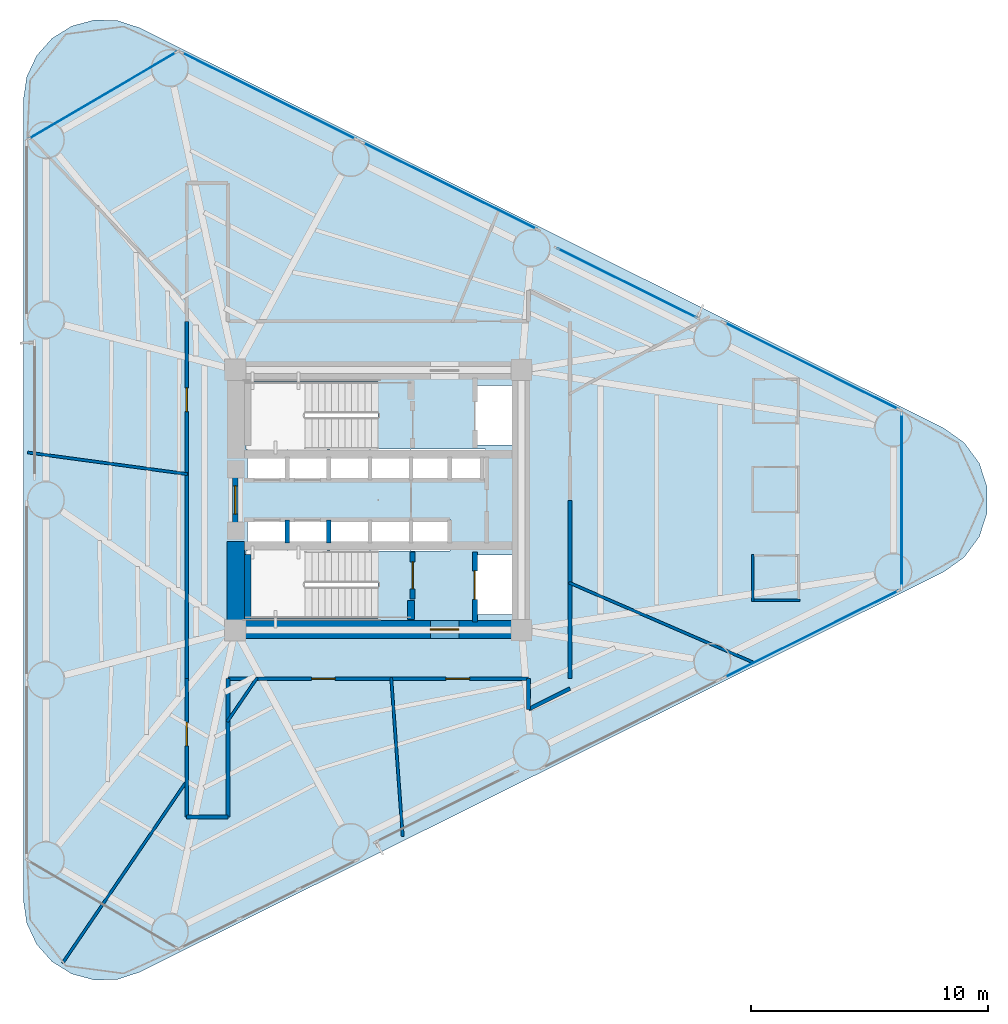
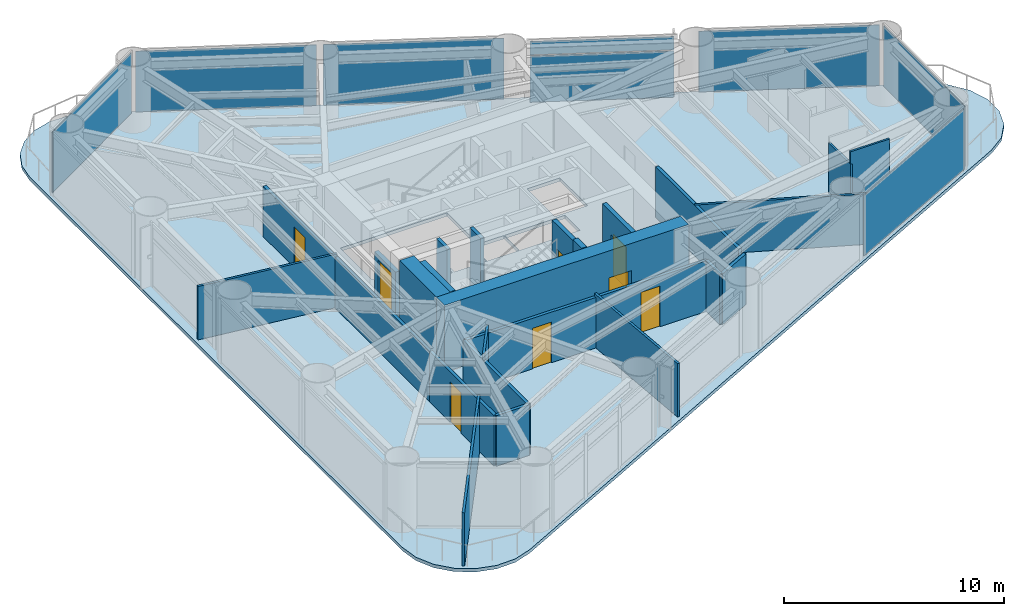
# One storey, part 5 of 10: 24 walls, 8 doors, 8 plates, 1 slab, 8 openings, 7 elements without a shape of their own.
"""IFC4 building model written with IfcOpenShell, lengths in metres."""

from ifc_helpers import new_model, si_unit, direction, frame, frame_2d, origin, origin_2d, place, context, subcontext, project, spatial, polyline, rectangle, outline, extrude, source, transform, mapped, material, layer, layer_set, type_object, element, fill, aggregate, save


model = new_model("IFC4")

# Units and contexts
model_context = context("Model", 3, precision=1e-05, world=origin(), true_north=direction((0.0, 1.0)))
body_context = subcontext(model_context, "Body", "Model", "MODEL_VIEW")
ifc_project = project(units=[si_unit("LENGTHUNIT", "METRE"), si_unit("AREAUNIT", "SQUARE_METRE"), si_unit("VOLUMEUNIT", "CUBIC_METRE"), si_unit("PLANEANGLEUNIT", "RADIAN"), si_unit("MASSUNIT", "GRAM", prefix="KILO")], contexts=[model_context])

# Site, building, storey
site_placement = place(None, origin())
site = spatial("IfcSite", under=ifc_project, at=site_placement, CompositionType="ELEMENT")
building_placement = place(site_placement, origin())
building = spatial("IfcBuilding", under=site, at=building_placement, Name="Yunling Apex Tower", CompositionType="ELEMENT")
storey_placement = place(building_placement, frame((0.0, 0.0, 34.89990234375)))
storey = spatial("IfcBuildingStorey", under=building, at=storey_placement, Name="L10", CompositionType="ELEMENT", Elevation=34.89990234375)

# Slab
ifc_material_1 = material(Name="Concrete C40", Category="concrete")
ifc_layer_1 = layer(ifc_material_1, 0.179931640625)
ifc_layer_set_1 = layer_set([ifc_layer_1], Name="Concrete C40")
slab_type = type_object("IfcSlabType", Name="SL-FLR-1", PredefinedType="FLOOR", material=ifc_layer_set_1)
slab_placement = place(storey_placement, frame((0.0, 0.0, -0.184814453125)))
element("IfcSlab", 1, at=slab_placement, inside=storey, type_object=slab_type, Name="L10 Composite Tower Floor Slab", PredefinedType="FLOOR", context=body_context, shape_type="SweptSolid", body=[
    extrude(outline(polyline([(-15.001953125, -16.909912109375), (-14.859619140625, -17.88330078125), (-14.444580078125, -18.775390625), (-13.79150390625, -19.510986328125), (-12.955078125, -20.029052734375), (-12.00537109375, -20.285888671875), (-11.02197265625, -20.260009765625), (-10.0869140625, -19.953857421875), (23.88818359375, -3.043701171875), (24.76123046875, -2.42041015625), (25.396484375, -1.555908203125), (25.730712890625, -0.536376953125), (25.730712890625, 0.536376953125), (25.396484375, 1.555908203125), (24.76123046875, 2.42041015625), (23.88818359375, 3.043701171875), (-10.0869140625, 19.953857421875), (-11.02197265625, 20.260009765625), (-12.00537109375, 20.285888671875), (-12.955078125, 20.029052734375), (-13.79150390625, 19.510986328125), (-14.444580078125, 18.775390625), (-14.859619140625, 17.88330078125), (-15.001953125, 16.909912109375), (-15.001953125, -16.909912109375)]), holes=[polyline([(5.81005859375, -2.320068359375), (5.81005859375, -4.840087890625), (4.090087890625, -4.840087890625), (4.090087890625, -2.320068359375), (5.81005859375, -2.320068359375)]), polyline([(5.81005859375, 4.840087890625), (5.81005859375, 2.320068359375), (4.090087890625, 2.320068359375), (4.090087890625, 4.840087890625), (5.81005859375, 4.840087890625)]), polyline([(1.364990234375, 2.1650390625), (4.534912109375, 2.1650390625), (4.534912109375, 0.794921875), (1.364990234375, 0.794921875), (1.364990234375, 2.1650390625)]), polyline([(3.034912109375, -0.794921875), (3.034912109375, -2.1650390625), (1.364990234375, -2.1650390625), (1.364990234375, -0.794921875), (3.034912109375, -0.794921875)]), polyline([(-5.534912109375, -0.794921875), (-3.864990234375, -0.794921875), (-3.864990234375, -2.139892578125), (-3.8349609375, -2.139892578125), (-3.8349609375, -0.794921875), (-2.1650390625, -0.794921875), (-2.1650390625, -2.139892578125), (-2.034912109375, -2.139892578125), (-2.034912109375, -0.794921875), (-0.364990234375, -0.794921875), (-0.364990234375, -2.139892578125), (-0.3349609375, -2.139892578125), (-0.3349609375, -0.794921875), (1.3349609375, -0.794921875), (1.3349609375, -2.1650390625), (-0.010009765625, -2.1650390625), (-0.010009765625, -5.010009765625), (-5.60009765625, -5.010009765625), (-5.60009765625, -2.139892578125), (-5.534912109375, -2.139892578125), (-5.534912109375, -0.794921875)]), polyline([(-5.60009765625, 2.139892578125), (-5.60009765625, 5.010009765625), (-0.010009765625, 5.010009765625), (-0.010009765625, 2.1650390625), (1.3349609375, 2.1650390625), (1.3349609375, 0.794921875), (-0.3349609375, 0.794921875), (-0.3349609375, 2.139892578125), (-0.364990234375, 2.139892578125), (-0.364990234375, 0.794921875), (-2.034912109375, 0.794921875), (-2.034912109375, 2.139892578125), (-2.1650390625, 2.139892578125), (-2.1650390625, 0.794921875), (-3.8349609375, 0.794921875), (-3.8349609375, 2.139892578125), (-3.864990234375, 2.139892578125), (-3.864990234375, 0.794921875), (-5.534912109375, 0.794921875), (-5.534912109375, 2.139892578125), (-5.60009765625, 2.139892578125)])]), origin(), (0.0, 0.0, 1.0), 0.184814453125),
])

# Curtain wall, plate
ifc_material_2 = material(Name="Bronze anodised aluminium", Category="aluminium")
ifc_layer_2 = layer(ifc_material_2, 0.260009765625)
ifc_layer_set_2 = layer_set([ifc_layer_2], Name="Bronze anodised aluminium")
curtain_wall_type = type_object("IfcCurtainWallType", Name="CW-SYS-2", PredefinedType="NOTDEFINED", material=ifc_layer_set_2)
curtain_wall_1_placement = place(storey_placement, origin())
curtain_wall_1 = element("IfcCurtainWall", 2, at=curtain_wall_1_placement, inside=storey, type_object=curtain_wall_type, Name="CW-L10-F1-B4", PredefinedType="NOTDEFINED")
ifc_material_3 = material(Name="Bronze tinted low-E glass", Category="glass")
ifc_layer_3 = layer(ifc_material_3, 0.033935546875)
ifc_layer_set_3 = layer_set([ifc_layer_3], Name="Bronze tinted low-E glass")
plate_type = type_object("IfcPlateType", Name="CW-PNL-2", PredefinedType="CURTAIN_PANEL", material=ifc_layer_set_3)
shared_shape_1 = source(origin(), body_context, "Body", "SweptSolid", [
    extrude(rectangle(XDim=8.225341796875, YDim=0.033935546875, at=origin_2d()), origin(), (0.0, 0.0, 1.0), 3.361572265625),
])
plate_1_placement = place(storey_placement, frame((18.304931640625, -5.666259765625, 0.07666015625), z_axis=(0.0, 0.0, 1.0), x_axis=(0.895242031011, 0.445580190214, 0.0)))
plate_1 = element("IfcPlate", 3, at=plate_1_placement, type_object=plate_type, Name="CW-SYS-2 panel 1.1", PredefinedType="CURTAIN_PANEL", context=body_context, shape_type="MappedRepresentation", body=[
    mapped(shared_shape_1, transform((0.0, 0.0, 0.0), scale=1.0)),
])
aggregate(curtain_wall_1, [plate_1])

curtain_wall_2_placement = place(storey_placement, origin())
curtain_wall_2 = element("IfcCurtainWall", 4, at=curtain_wall_2_placement, inside=storey, type_object=curtain_wall_type, Name="CW-L10-F2-B1", PredefinedType="NOTDEFINED")
plate_2_placement = place(storey_placement, frame((18.304931640625, 5.666259765625, 0.07666015625), z_axis=(0.0, 0.0, 1.0), x_axis=(-0.895242031011, 0.445580190214, 0.0)))
plate_2 = element("IfcPlate", 5, at=plate_2_placement, type_object=plate_type, Name="CW-SYS-2 panel 1.1", PredefinedType="CURTAIN_PANEL", context=body_context, shape_type="MappedRepresentation", body=[
    mapped(shared_shape_1, transform((0.0, 0.0, 0.0), scale=1.0)),
])
aggregate(curtain_wall_2, [plate_2])

curtain_wall_3_placement = place(storey_placement, origin())
curtain_wall_3 = element("IfcCurtainWall", 6, at=curtain_wall_3_placement, inside=storey, type_object=curtain_wall_type, Name="CW-L10-F2-B3", PredefinedType="NOTDEFINED")
plate_3_placement = place(storey_placement, frame((3.01611328125, 13.27587890625, 0.07666015625), z_axis=(0.0, 0.0, 1.0), x_axis=(-0.895242031011, 0.445580190214, 0.0)))
plate_3 = element("IfcPlate", 7, at=plate_3_placement, type_object=plate_type, Name="CW-SYS-2 panel 1.1", PredefinedType="CURTAIN_PANEL", context=body_context, shape_type="MappedRepresentation", body=[
    mapped(shared_shape_1, transform((0.0, 0.0, 0.0), scale=1.0)),
])
aggregate(curtain_wall_3, [plate_3])

curtain_wall_4_placement = place(storey_placement, origin())
curtain_wall_4 = element("IfcCurtainWall", 8, at=curtain_wall_4_placement, inside=storey, type_object=curtain_wall_type, Name="CW-L10-F2-B4", PredefinedType="NOTDEFINED")
plate_4_placement = place(storey_placement, frame((-4.62841796875, 17.08056640625, 0.07666015625), z_axis=(0.0, 0.0, 1.0), x_axis=(-0.895246791748, 0.445570625003, 0.0)))
plate_4 = element("IfcPlate", 9, at=plate_4_placement, type_object=plate_type, Name="CW-SYS-2 panel 1.1", PredefinedType="CURTAIN_PANEL", context=body_context, shape_type="MappedRepresentation", body=[
    mapped(shared_shape_1, transform((0.0, 0.0, 0.0), scale=1.0)),
])
aggregate(curtain_wall_4, [plate_4])

curtain_wall_5_placement = place(storey_placement, origin())
curtain_wall_5 = element("IfcCurtainWall", 10, at=curtain_wall_5_placement, inside=storey, type_object=curtain_wall_type, Name="CW-L10-CRN1", PredefinedType="NOTDEFINED")
shared_shape_2 = source(origin(), body_context, "Body", "SweptSolid", [
    extrude(rectangle(XDim=7.338623046875, YDim=0.033935546875, at=origin_2d()), origin(), (0.0, 0.0, 1.0), 3.361572265625),
])
plate_5_placement = place(storey_placement, frame((22.1181640625, 0.0, 0.07666015625), z_axis=(0.0, 0.0, 1.0), x_axis=(0.0, 1.0, 0.0)))
plate_5 = element("IfcPlate", 11, at=plate_5_placement, type_object=plate_type, Name="CW-SYS-2 panel 1.1", PredefinedType="CURTAIN_PANEL", context=body_context, shape_type="MappedRepresentation", body=[
    mapped(shared_shape_2, transform((0.0, 0.0, 0.0), scale=1.0)),
])
aggregate(curtain_wall_5, [plate_5])

curtain_wall_6_placement = place(storey_placement, origin())
curtain_wall_6 = element("IfcCurtainWall", 12, at=curtain_wall_6_placement, inside=storey, type_object=curtain_wall_type, Name="CW-L10-CRN2", PredefinedType="NOTDEFINED")
shared_shape_3 = source(origin(), body_context, "Body", "SweptSolid", [
    extrude(rectangle(XDim=7.247314453125, YDim=0.033935546875, at=origin_2d()), origin(), (0.0, 0.0, 1.0), 3.361572265625),
])
plate_6_placement = place(storey_placement, frame((-11.650634765625, 17.092041015625, 0.07666015625), z_axis=(0.0, 0.0, 1.0), x_axis=(-0.86241873323, -0.506195543811, 0.0)))
plate_6 = element("IfcPlate", 13, at=plate_6_placement, type_object=plate_type, Name="CW-SYS-2 panel 1.1", PredefinedType="CURTAIN_PANEL", context=body_context, shape_type="MappedRepresentation", body=[
    mapped(shared_shape_3, transform((0.0, 0.0, 0.0), scale=1.0)),
])
aggregate(curtain_wall_6, [plate_6])

# Curtain wall, plates
curtain_wall_7_placement = place(storey_placement, origin())
curtain_wall_7 = element("IfcCurtainWall", 14, at=curtain_wall_7_placement, inside=storey, type_object=curtain_wall_type, Name="CW-L10-F2-B2", PredefinedType="NOTDEFINED")
shared_shape_4 = source(origin(), body_context, "Body", "SweptSolid", [
    extrude(rectangle(XDim=6.54541015625, YDim=0.033935546875, at=origin_2d()), origin(), (0.0, 0.0, 1.0), 2.560302734375),
])
plate_7_placement = place(storey_placement, frame((10.509033203125, 9.166748046875, 0.07666015625), z_axis=(0.0, 0.0, 1.0), x_axis=(-0.895243732344, 0.445576771947, 0.0)))
plate_7 = element("IfcPlate", 15, at=plate_7_placement, type_object=plate_type, Name="CW-SYS-2 panel 1.1", PredefinedType="CURTAIN_PANEL", context=body_context, shape_type="MappedRepresentation", body=[
    mapped(shared_shape_4, transform((0.0, 0.0, 0.0), scale=1.0)),
])
shared_shape_5 = source(origin(), body_context, "Body", "SweptSolid", [
    extrude(rectangle(XDim=6.54541015625, YDim=0.033935546875, at=origin_2d()), origin(), (0.0, 0.0, 1.0), 0.732666015625),
])
plate_8_placement = place(storey_placement, frame((10.509033203125, 9.166748046875, 2.70556640625), z_axis=(0.0, 0.0, 1.0), x_axis=(-0.895243732344, 0.445576771947, 0.0)))
plate_8 = element("IfcPlate", 16, at=plate_8_placement, type_object=plate_type, Name="CW-SYS-2 panel 1.2", PredefinedType="CURTAIN_PANEL", context=body_context, shape_type="MappedRepresentation", body=[
    mapped(shared_shape_5, transform((0.0, 0.0, 0.0), scale=1.0)),
])
aggregate(curtain_wall_7, [plate_7, plate_8])

# Wall, opening, door
ifc_material_4 = material(Name="Concrete C60", Category="concrete")
ifc_layer_4 = layer(ifc_material_4, 0.75)
ifc_layer_set_4 = layer_set([ifc_layer_4], Name="Concrete C60")
wall_type_1 = type_object("IfcWallType", Name="WL-COR-1", PredefinedType="SHEAR", material=ifc_layer_set_4)
wall_1_placement = place(storey_placement, frame((-6.39990234375, -5.47509765625, 0.0), z_axis=(0.0, 0.0, 1.0), x_axis=(1.0, 0.0, 0.0)))
wall_1 = element("IfcWall", 17, at=wall_1_placement, inside=storey, type_object=wall_type_1, Name="L10 South Core Shear Wall", PredefinedType="SHEAR", context=body_context, shape_type="SweptSolid", body=[
    extrude(rectangle(XDim=12.7998046875, YDim=0.75, at=frame_2d((6.39990234375, 0.0))), origin(), (0.0, 0.0, 1.0), 3.7001953125),
])
opening_1_placement = place(wall_1_placement, frame((8.60009765625, 0.0, 0.0)))
opening_1 = element("IfcOpeningElement", 18, at=opening_1_placement, cuts=wall_1, Name="Opening DR-FFL-1", PredefinedType="OPENING", context=body_context, shape_type="SweptSolid", body=[
    extrude(rectangle(XDim=1.199951171875, YDim=2.199951171875, at=frame_2d((0.60009765625, 1.10009765625))), frame((0.0, 0.385009765625, 0.0), z_axis=(0.0, -1.0, 0.0), x_axis=(1.0, 0.0, 0.0)), (0.0, 0.0, 1.0), 0.77001953125),
])
ifc_material_5 = material(Name="Steel Q355B", Category="steel")
door_type_1 = type_object("IfcDoorType", Name="DR-FFL-1", OperationType="NOTDEFINED", PredefinedType="DOOR", material=ifc_material_5)
door_1_placement = place(opening_1_placement, origin())
door_1 = element("IfcDoor", 19, at=door_1_placement, inside=storey, type_object=door_type_1, Name="L10 South Firefighting Lobby Door", OperationType="SINGLE_SWING_RIGHT", OverallHeight=2.199951171875, OverallWidth=1.199951171875, PredefinedType="DOOR", context=body_context, shape_type="SweptSolid", body=[
    extrude(rectangle(XDim=1.199951171875, YDim=2.199951171875, at=frame_2d((0.60009765625, 1.10009765625))), frame((0.0, 0.02490234375, 0.0), z_axis=(0.0, -1.0, 0.0), x_axis=(1.0, 0.0, 0.0)), (0.0, 0.0, 1.0), 0.050048828125),
])
fill(opening_1, door_1)

# Walls
wall_2_placement = place(storey_placement, frame((-6.02490234375, -5.10009765625, 0.0), z_axis=(0.0, 0.0, 1.0), x_axis=(0.0, 1.0, 0.0)))
element("IfcWall", 20, at=wall_2_placement, inside=storey, type_object=wall_type_1, Name="L10 West-South Core Shear Wall", PredefinedType="SHEAR", context=body_context, shape_type="SweptSolid", body=[
    extrude(rectangle(XDim=3.35009765625, YDim=0.75, at=frame_2d((1.675048828125, 0.0))), origin(), (0.0, 0.0, 1.0), 3.7001953125),
])
ifc_layer_5 = layer(ifc_material_1, 0.280029296875)
ifc_layer_set_5 = layer_set([ifc_layer_5], Name="Concrete C40")
wall_type_2 = type_object("IfcWallType", Name="WL-COR-8", PredefinedType="SHEAR", material=ifc_layer_set_5)
wall_3_placement = place(storey_placement, frame((-5.52001953125, -5.050048828125, 0.0), z_axis=(0.0, 0.0, 1.0), x_axis=(0.0, 1.0, 0.0)))
element("IfcWall", 21, at=wall_3_placement, inside=storey, type_object=wall_type_2, Name="L10 ST-2 West Landing Bearing Wall", PredefinedType="SHEAR", context=body_context, shape_type="SweptSolid", body=[
    extrude(rectangle(XDim=2.75, YDim=0.280029296875, at=frame_2d((1.375, 0.0))), origin(), (0.0, 0.0, 1.0), 3.7001953125),
])
wall_4_placement = place(storey_placement, frame((1.3798828125, -5.050048828125, 0.0), z_axis=(0.0, 0.0, 1.0), x_axis=(0.0, 1.0, 0.0)))
element("IfcWall", 22, at=wall_4_placement, inside=storey, type_object=wall_type_2, Name="L10 ST-2 East Landing Bearing Pier", PredefinedType="SHEAR", context=body_context, shape_type="SweptSolid", body=[
    extrude(rectangle(XDim=0.800048828125, YDim=0.280029296875, at=frame_2d((0.39990234375, 0.0))), origin(), (0.0, 0.0, 1.0), 3.7001953125),
])

# Wall, openings, doors
ifc_material_6 = material(Name="Gypsum board acoustic partition")
ifc_layer_6 = layer(ifc_material_6, 0.159912109375)
ifc_layer_set_6 = layer_set([ifc_layer_6], Name="Gypsum board acoustic partition")
wall_type_3 = type_object("IfcWallType", Name="WL-PRT-1", PredefinedType="PARTITIONING", material=ifc_layer_set_6)
wall_5_placement = place(storey_placement, frame((6.35009765625, -7.550048828125, 0.0), z_axis=(0.0, 0.0, 1.0), x_axis=(-1.0, 0.0, 0.0)))
wall_5 = element("IfcWall", 23, at=wall_5_placement, inside=storey, type_object=wall_type_3, Name="WL-CORR-L10-01", PredefinedType="PARTITIONING", context=body_context, shape_type="SweptSolid", body=[
    extrude(rectangle(XDim=12.7001953125, YDim=0.159912109375, at=frame_2d((6.35009765625, 0.0))), origin(), (0.0, 0.0, 1.0), 2.800048828125),
])
opening_2_placement = place(wall_5_placement, frame((2.49267578125, 0.0, 0.0)))
opening_2 = element("IfcOpeningElement", 24, at=opening_2_placement, cuts=wall_5, Name="Opening DR-OFF-1", PredefinedType="OPENING", context=body_context, shape_type="SweptSolid", body=[
    extrude(rectangle(XDim=1.0, YDim=2.25, at=frame_2d((0.5, 1.125))), frame((0.0, 0.08984375, 0.0), z_axis=(0.0, -1.0, 0.0), x_axis=(1.0, 0.0, 0.0)), (0.0, 0.0, 1.0), 0.179931640625),
])
opening_3_placement = place(wall_5_placement, frame((8.174560546875, 0.0, 0.0)))
opening_3 = element("IfcOpeningElement", 25, at=opening_3_placement, cuts=wall_5, Name="Opening DR-OFF-1", PredefinedType="OPENING", context=body_context, shape_type="SweptSolid", body=[
    extrude(rectangle(XDim=1.0, YDim=2.25, at=frame_2d((0.5, 1.125))), frame((0.0, 0.08984375, 0.0), z_axis=(0.0, -1.0, 0.0), x_axis=(1.0, 0.0, 0.0)), (0.0, 0.0, 1.0), 0.179931640625),
])
door_type_2 = type_object("IfcDoorType", Name="DR-OFF-1", OperationType="NOTDEFINED", PredefinedType="DOOR", material=ifc_material_2)
door_2_placement = place(opening_2_placement, origin())
door_2 = element("IfcDoor", 26, at=door_2_placement, inside=storey, type_object=door_type_2, Name="L10 Business Reading Lounge Door", OperationType="SINGLE_SWING_RIGHT", OverallHeight=2.25, OverallWidth=1.0, PredefinedType="DOOR", context=body_context, shape_type="SweptSolid", body=[
    extrude(rectangle(XDim=1.0, YDim=2.25, at=frame_2d((0.5, 1.125))), frame((0.0, 0.02490234375, 0.0), z_axis=(0.0, -1.0, 0.0), x_axis=(1.0, 0.0, 0.0)), (0.0, 0.0, 1.0), 0.050048828125),
])
fill(opening_2, door_2)
door_3_placement = place(opening_3_placement, origin())
door_3 = element("IfcDoor", 27, at=door_3_placement, inside=storey, type_object=door_type_2, Name="L10 Business Reading Lounge Door", OperationType="SINGLE_SWING_LEFT", OverallHeight=2.25, OverallWidth=1.0, PredefinedType="DOOR", context=body_context, shape_type="SweptSolid", body=[
    extrude(rectangle(XDim=1.0, YDim=2.25, at=frame_2d((0.5, 1.125))), frame((0.0, 0.02490234375, 0.0), z_axis=(0.0, -1.0, 0.0), x_axis=(1.0, 0.0, 0.0)), (0.0, 0.0, 1.0), 0.050048828125),
])
fill(opening_3, door_3)

# Walls
wall_6_placement = place(storey_placement, frame((-6.35009765625, -7.550048828125, 0.0), z_axis=(0.0, 0.0, 1.0), x_axis=(0.0, -1.0, 0.0)))
element("IfcWall", 28, at=wall_6_placement, inside=storey, type_object=wall_type_3, Name="WL-CORR-L10-02", PredefinedType="PARTITIONING", context=body_context, shape_type="SweptSolid", body=[
    extrude(rectangle(XDim=5.849853515625, YDim=0.159912109375, at=frame_2d((2.9248046875, 0.0))), origin(), (0.0, 0.0, 1.0), 2.800048828125),
])
wall_7_placement = place(storey_placement, frame((-6.35009765625, -13.39990234375, 0.0), z_axis=(0.0, 0.0, 1.0), x_axis=(-1.0, 0.0, 0.0)))
element("IfcWall", 29, at=wall_7_placement, inside=storey, type_object=wall_type_3, Name="WL-CORR-L10-03", PredefinedType="PARTITIONING", context=body_context, shape_type="SweptSolid", body=[
    extrude(rectangle(XDim=1.75, YDim=0.159912109375, at=frame_2d((0.875, 0.0))), origin(), (0.0, 0.0, 1.0), 2.800048828125),
])

# Wall, opening, door
wall_8_placement = place(storey_placement, frame((-8.10009765625, -13.39990234375, 0.0), z_axis=(0.0, 0.0, 1.0), x_axis=(0.0, 1.0, 0.0)))
wall_8 = element("IfcWall", 30, at=wall_8_placement, inside=storey, type_object=wall_type_3, Name="WL-CORR-L10-04", PredefinedType="PARTITIONING", context=body_context, shape_type="SweptSolid", body=[
    extrude(rectangle(XDim=5.849853515625, YDim=0.159912109375, at=frame_2d((2.9248046875, 0.0))), origin(), (0.0, 0.0, 1.0), 2.800048828125),
])
opening_4_placement = place(wall_8_placement, frame((3.007080078125, 0.0, 0.0)))
opening_4 = element("IfcOpeningElement", 31, at=opening_4_placement, cuts=wall_8, Name="Opening DR-OFF-1", PredefinedType="OPENING", context=body_context, shape_type="SweptSolid", body=[
    extrude(rectangle(XDim=1.0, YDim=2.25, at=frame_2d((0.5, 1.125))), frame((0.0, 0.08984375, 0.0), z_axis=(0.0, -1.0, 0.0), x_axis=(1.0, 0.0, 0.0)), (0.0, 0.0, 1.0), 0.179931640625),
])
door_4_placement = place(opening_4_placement, origin())
door_4 = element("IfcDoor", 32, at=door_4_placement, inside=storey, type_object=door_type_2, Name="L10 Executive Office Door", OperationType="SINGLE_SWING_RIGHT", OverallHeight=2.25, OverallWidth=1.0, PredefinedType="DOOR", context=body_context, shape_type="SweptSolid", body=[
    extrude(rectangle(XDim=1.0, YDim=2.25, at=frame_2d((0.5, 1.125))), frame((0.0, 0.02490234375, 0.0), z_axis=(0.0, -1.0, 0.0), x_axis=(1.0, 0.0, 0.0)), (0.0, 0.0, 1.0), 0.050048828125),
])
fill(opening_4, door_4)

wall_9_placement = place(storey_placement, frame((-8.10009765625, -7.550048828125, 0.0), z_axis=(0.0, 0.0, 1.0), x_axis=(0.0, 1.0, 0.0)))
wall_9 = element("IfcWall", 33, at=wall_9_placement, inside=storey, type_object=wall_type_3, Name="WL-CORR-L10-05", PredefinedType="PARTITIONING", context=body_context, shape_type="SweptSolid", body=[
    extrude(rectangle(XDim=15.10009765625, YDim=0.159912109375, at=frame_2d((7.550048828125, 0.0))), origin(), (0.0, 0.0, 1.0), 2.800048828125),
])
opening_5_placement = place(wall_9_placement, frame((11.285400390625, 0.0, 0.0)))
opening_5 = element("IfcOpeningElement", 34, at=opening_5_placement, cuts=wall_9, Name="Opening DR-OFF-1", PredefinedType="OPENING", context=body_context, shape_type="SweptSolid", body=[
    extrude(rectangle(XDim=1.0, YDim=2.25, at=frame_2d((0.5, 1.125))), frame((0.0, 0.08984375, 0.0), z_axis=(0.0, -1.0, 0.0), x_axis=(1.0, 0.0, 0.0)), (0.0, 0.0, 1.0), 0.179931640625),
])
door_5_placement = place(opening_5_placement, origin())
door_5 = element("IfcDoor", 35, at=door_5_placement, inside=storey, type_object=door_type_2, Name="L10 Executive Office Door", OperationType="SINGLE_SWING_LEFT", OverallHeight=2.25, OverallWidth=1.0, PredefinedType="DOOR", context=body_context, shape_type="SweptSolid", body=[
    extrude(rectangle(XDim=1.0, YDim=2.25, at=frame_2d((0.5, 1.125))), frame((0.0, 0.02490234375, 0.0), z_axis=(0.0, -1.0, 0.0), x_axis=(1.0, 0.0, 0.0)), (0.0, 0.0, 1.0), 0.050048828125),
])
fill(opening_5, door_5)

# Walls
wall_10_placement = place(storey_placement, frame((8.10009765625, -0.02001953125, 0.0), z_axis=(0.0, 0.0, 1.0), x_axis=(0.0, -1.0, 0.0)))
element("IfcWall", 36, at=wall_10_placement, inside=storey, type_object=wall_type_3, Name="WL-CORR-L10-14", PredefinedType="PARTITIONING", context=body_context, shape_type="SweptSolid", body=[
    extrude(rectangle(XDim=7.530029296875, YDim=0.159912109375, at=frame_2d((3.76513671875, 0.0))), origin(), (0.0, 0.0, 1.0), 2.800048828125),
])
wall_11_placement = place(storey_placement, frame((8.10009765625, -7.975341796875, 0.0), z_axis=(0.0, 0.0, 1.0), x_axis=(-0.89527489017, -0.445514164793, 0.0)))
element("IfcWall", 37, at=wall_11_placement, inside=storey, type_object=wall_type_3, Name="WL-CORR-L10-16", PredefinedType="PARTITIONING", context=body_context, shape_type="SweptSolid", body=[
    extrude(rectangle(XDim=1.95458984375, YDim=0.159912109375, at=frame_2d((0.977294921875, 0.0))), origin(), (0.0, 0.0, 1.0), 2.800048828125),
])
wall_12_placement = place(storey_placement, frame((6.35009765625, -8.84619140625, 0.0), z_axis=(0.0, 0.0, 1.0), x_axis=(0.0, 1.0, 0.0)))
element("IfcWall", 38, at=wall_12_placement, inside=storey, type_object=wall_type_3, Name="WL-CORR-L10-17", PredefinedType="PARTITIONING", context=body_context, shape_type="SweptSolid", body=[
    extrude(rectangle(XDim=1.296142578125, YDim=0.159912109375, at=frame_2d((0.64794921875, 0.0))), origin(), (0.0, 0.0, 1.0), 2.800048828125),
])
ifc_layer_7 = layer(ifc_material_6, 0.1201171875)
ifc_layer_set_7 = layer_set([ifc_layer_7], Name="Gypsum board acoustic partition")
wall_type_4 = type_object("IfcWallType", Name="WL-PRT-3", PredefinedType="PARTITIONING", material=ifc_layer_set_7)
wall_13_placement = place(storey_placement, frame((-8.06005859375, 1.091796875, 0.0), z_axis=(0.0, 0.0, 1.0), x_axis=(-0.990948874496, 0.13423981576, 0.0)))
element("IfcWall", 39, at=wall_13_placement, inside=storey, type_object=wall_type_4, Name="WL-RAD-L10-04", PredefinedType="PARTITIONING", context=body_context, shape_type="SweptSolid", body=[
    extrude(rectangle(XDim=6.82373046875, YDim=0.1201171875, at=frame_2d((3.411865234375, 0.0))), origin(), (0.0, 0.0, 1.0), 2.960205078125),
])
wall_14_placement = place(storey_placement, frame((-5.1201171875, -7.510009765625, 0.0), z_axis=(0.0, 0.0, 1.0), x_axis=(-0.563343546536, -0.826222759657, 0.0)))
element("IfcWall", 40, at=wall_14_placement, inside=storey, type_object=wall_type_4, Name="WL-RAD-L10-05", PredefinedType="PARTITIONING", context=body_context, shape_type="SweptSolid", body=[
    extrude(rectangle(XDim=2.25390625, YDim=0.1201171875, at=frame_2d((1.126953125, 0.0))), origin(), (0.0, 0.0, 1.0), 3.16015625),
])
wall_15_placement = place(storey_placement, frame((-8.06005859375, -11.82177734375, 0.0), z_axis=(0.0, 0.0, 1.0), x_axis=(-0.56331583488, -0.826241653618, 0.0)))
element("IfcWall", 41, at=wall_15_placement, inside=storey, type_object=wall_type_4, Name="WL-RAD-L10-06", PredefinedType="PARTITIONING", context=body_context, shape_type="SweptSolid", body=[
    extrude(rectangle(XDim=9.384033203125, YDim=0.1201171875, at=frame_2d((4.69189453125, 0.0))), origin(), (0.0, 0.0, 1.0), 2.960205078125),
])
wall_16_placement = place(storey_placement, frame((0.5439453125, -7.510009765625, 0.0), z_axis=(0.0, 0.0, 1.0), x_axis=(0.072255425025, -0.997386160699, 0.0)))
element("IfcWall", 42, at=wall_16_placement, inside=storey, type_object=wall_type_4, Name="WL-RAD-L10-07", PredefinedType="PARTITIONING", context=body_context, shape_type="SweptSolid", body=[
    extrude(rectangle(XDim=6.727294921875, YDim=0.1201171875, at=frame_2d((3.36376953125, 0.0))), origin(), (0.0, 0.0, 1.0), 2.960205078125),
])
wall_17_placement = place(storey_placement, frame((8.06005859375, -3.49267578125, 0.0), z_axis=(0.0, 0.0, 1.0), x_axis=(0.917561590562, -0.397593671385, 0.0)))
element("IfcWall", 43, at=wall_17_placement, inside=storey, type_object=wall_type_4, Name="WL-RAD-L10-08", PredefinedType="PARTITIONING", context=body_context, shape_type="SweptSolid", body=[
    extrude(rectangle(XDim=8.4609375, YDim=0.1201171875, at=frame_2d((4.23046875, 0.0))), origin(), (0.0, 0.0, 1.0), 2.800048828125),
])
ifc_layer_8 = layer(ifc_material_6, 0.10009765625)
ifc_layer_set_8 = layer_set([ifc_layer_8], Name="Gypsum board acoustic partition")
wall_type_5 = type_object("IfcWallType", Name="WL-PRT-4", PredefinedType="PARTITIONING", material=ifc_layer_set_8)
wall_18_placement = place(storey_placement, frame((17.820068359375, -4.243896484375, 0.0), z_axis=(0.0, 0.0, 1.0), x_axis=(-1.0, 0.0, 0.0)))
element("IfcWall", 44, at=wall_18_placement, inside=storey, type_object=wall_type_5, Name="WL-L10-WCFS", PredefinedType="PARTITIONING", context=body_context, shape_type="SweptSolid", body=[
    extrude(rectangle(XDim=2.050048828125, YDim=0.10009765625, at=frame_2d((1.02490234375, 0.0))), origin(), (0.0, 0.0, 1.0), 3.4951171875),
])
wall_19_placement = place(storey_placement, frame((15.820068359375, -4.2939453125, 0.0), z_axis=(0.0, 0.0, 1.0), x_axis=(0.0, 1.0, 0.0)))
element("IfcWall", 45, at=wall_19_placement, inside=storey, type_object=wall_type_5, Name="WL-L10-WCFW", PredefinedType="PARTITIONING", context=body_context, shape_type="SweptSolid", body=[
    extrude(rectangle(XDim=2.0, YDim=0.10009765625, at=frame_2d((1.0, 0.0))), origin(), (0.0, 0.0, 1.0), 2.800048828125),
])

# Wall, opening, door
ifc_material_7 = material(Name="Autoclaved aerated concrete masonry", Category="masonry")
ifc_layer_9 = layer(ifc_material_7, 0.219970703125)
ifc_layer_set_9 = layer_set([ifc_layer_9], Name="Autoclaved aerated concrete masonry")
wall_type_6 = type_object("IfcWallType", Name="WL-SHF-1", PredefinedType="PLUMBINGWALL", material=ifc_layer_set_9)
wall_20_placement = place(storey_placement, frame((-6.050048828125, -0.949951171875, 0.0), z_axis=(0.0, 0.0, 1.0), x_axis=(0.0, 1.0, 0.0)))
wall_20 = element("IfcWall", 46, at=wall_20_placement, inside=storey, type_object=wall_type_6, Name="WL-COR-WPORT-L10", PredefinedType="PLUMBINGWALL", context=body_context, shape_type="SweptSolid", body=[
    extrude(rectangle(XDim=1.89990234375, YDim=0.219970703125, at=frame_2d((0.949951171875, 0.0))), origin(), (0.0, 0.0, 1.0), 2.47509765625),
])
opening_6_placement = place(wall_20_placement, frame((0.35009765625, 0.0, 0.0)))
opening_6 = element("IfcOpeningElement", 47, at=opening_6_placement, cuts=wall_20, Name="Opening DR-FFL-1", PredefinedType="OPENING", context=body_context, shape_type="SweptSolid", body=[
    extrude(rectangle(XDim=1.199951171875, YDim=2.199951171875, at=frame_2d((0.60009765625, 1.10009765625))), frame((0.0, 0.1201171875, 0.0), z_axis=(0.0, -1.0, 0.0), x_axis=(1.0, 0.0, 0.0)), (0.0, 0.0, 1.0), 0.239990234375),
])
door_6_placement = place(opening_6_placement, origin())
door_6 = element("IfcDoor", 48, at=door_6_placement, inside=storey, type_object=door_type_1, Name="L10 Passenger Lift Lobby Entrance Door", OperationType="SINGLE_SWING_RIGHT", OverallHeight=2.199951171875, OverallWidth=1.199951171875, PredefinedType="DOOR", context=body_context, shape_type="SweptSolid", body=[
    extrude(rectangle(XDim=1.199951171875, YDim=2.199951171875, at=frame_2d((0.60009765625, 1.10009765625))), frame((0.0, 0.02490234375, 0.0), z_axis=(0.0, -1.0, 0.0), x_axis=(1.0, 0.0, 0.0)), (0.0, 0.0, 1.0), 0.050048828125),
])
fill(opening_6, door_6)

wall_21_placement = place(storey_placement, frame((1.449951171875, -4.179931640625, 0.0), z_axis=(0.0, 0.0, 1.0), x_axis=(0.0, 1.0, 0.0)))
wall_21 = element("IfcWall", 49, at=wall_21_placement, inside=storey, type_object=wall_type_6, Name="WL-ST2-E-L10", PredefinedType="PLUMBINGWALL", context=body_context, shape_type="SweptSolid", body=[
    extrude(rectangle(XDim=1.97998046875, YDim=0.219970703125, at=frame_2d((0.989990234375, 0.0))), origin(), (0.0, 0.0, 1.0), 3.4951171875),
])
opening_7_placement = place(wall_21_placement, frame((0.419921875, 0.0, 0.0)))
opening_7 = element("IfcOpeningElement", 50, at=opening_7_placement, cuts=wall_21, Name="Opening DR-ST-1", PredefinedType="OPENING", context=body_context, shape_type="SweptSolid", body=[
    extrude(rectangle(XDim=1.14990234375, YDim=2.14990234375, at=frame_2d((0.574951171875, 1.074951171875))), frame((0.0, 0.1201171875, 0.0), z_axis=(0.0, -1.0, 0.0), x_axis=(1.0, 0.0, 0.0)), (0.0, 0.0, 1.0), 0.239990234375),
])
door_type_3 = type_object("IfcDoorType", Name="DR-ST-1", OperationType="NOTDEFINED", PredefinedType="DOOR", material=ifc_material_5)
door_7_placement = place(opening_7_placement, origin())
door_7 = element("IfcDoor", 51, at=door_7_placement, inside=storey, type_object=door_type_3, Name="L10 Stair ST-2 Fire Door", OperationType="SINGLE_SWING_RIGHT", OverallHeight=2.14990234375, OverallWidth=1.14990234375, PredefinedType="DOOR", context=body_context, shape_type="SweptSolid", body=[
    extrude(rectangle(XDim=1.14990234375, YDim=2.14990234375, at=frame_2d((0.574951171875, 1.074951171875))), frame((0.0, 0.02490234375, 0.0), z_axis=(0.0, -1.0, 0.0), x_axis=(1.0, 0.0, 0.0)), (0.0, 0.0, 1.0), 0.050048828125),
])
fill(opening_7, door_7)

wall_22_placement = place(storey_placement, frame((4.080078125, -5.14990234375, 0.0), z_axis=(0.0, 0.0, 1.0), x_axis=(0.0, 1.0, 0.0)))
wall_22 = element("IfcWall", 52, at=wall_22_placement, inside=storey, type_object=wall_type_6, Name="WL-FFL2-W-L10", PredefinedType="PLUMBINGWALL", context=body_context, shape_type="SweptSolid", body=[
    extrude(rectangle(XDim=2.949951171875, YDim=0.219970703125, at=frame_2d((1.47509765625, 0.0))), origin(), (0.0, 0.0, 1.0), 3.4951171875),
])
opening_8_placement = place(wall_22_placement, frame((0.949951171875, 0.0, 0.0)))
opening_8 = element("IfcOpeningElement", 53, at=opening_8_placement, cuts=wall_22, Name="Opening LD-FFL-1", PredefinedType="OPENING", context=body_context, shape_type="SweptSolid", body=[
    extrude(rectangle(XDim=1.199951171875, YDim=2.25, at=frame_2d((0.60009765625, 1.125))), frame((0.0, 0.1201171875, 0.0), z_axis=(0.0, -1.0, 0.0), x_axis=(1.0, 0.0, 0.0)), (0.0, 0.0, 1.0), 0.239990234375),
])
door_type_4 = type_object("IfcDoorType", Name="LD-FFL-1", OperationType="DOUBLE_DOOR_SLIDING", PredefinedType="DOOR", material=ifc_material_5)
door_8_placement = place(opening_8_placement, origin())
door_8 = element("IfcDoor", 54, at=door_8_placement, inside=storey, type_object=door_type_4, Name="L10 Lift FFL-2 Landing Door", OperationType="DOUBLE_DOOR_SLIDING", OverallHeight=2.25, OverallWidth=1.199951171875, PredefinedType="DOOR", context=body_context, shape_type="SweptSolid", body=[
    extrude(rectangle(XDim=1.199951171875, YDim=2.25, at=frame_2d((0.60009765625, 1.125))), frame((0.0, 0.02490234375, 0.0), z_axis=(0.0, -1.0, 0.0), x_axis=(1.0, 0.0, 0.0)), (0.0, 0.0, 1.0), 0.050048828125),
])
fill(opening_8, door_8)

# Walls
ifc_layer_10 = layer(ifc_material_7, 0.179931640625)
ifc_layer_set_10 = layer_set([ifc_layer_10], Name="Autoclaved aerated concrete masonry")
wall_type_7 = type_object("IfcWallType", Name="WL-SHF-2", PredefinedType="PLUMBINGWALL", material=ifc_layer_set_10)
for number, where, z_axis, x_axis, name in (
    (55, (-3.85009765625, -1.820068359375, 0.0), (0.0, 0.0, 1.0), (0.0, 1.0, 0.0), "WL-DIV-L34-L10"),
    (56, (-2.10009765625, -1.820068359375, 0.0), (0.0, 0.0, 1.0), (0.0, 1.0, 0.0), "WL-BNK-LM-S-L10"),
):
    element("IfcWall", number, at=place(storey_placement, frame(where, z_axis=z_axis, x_axis=x_axis)), inside=storey, type_object=wall_type_7, Name=name, PredefinedType="PLUMBINGWALL", context=body_context, shape_type="SweptSolid", body=[
        extrude(rectangle(XDim=0.97998046875, YDim=0.179931640625, at=frame_2d((0.489990234375, 0.0))), origin(), (0.0, 0.0, 1.0), 3.4951171875),
    ])

save(model, "model.ifc")
